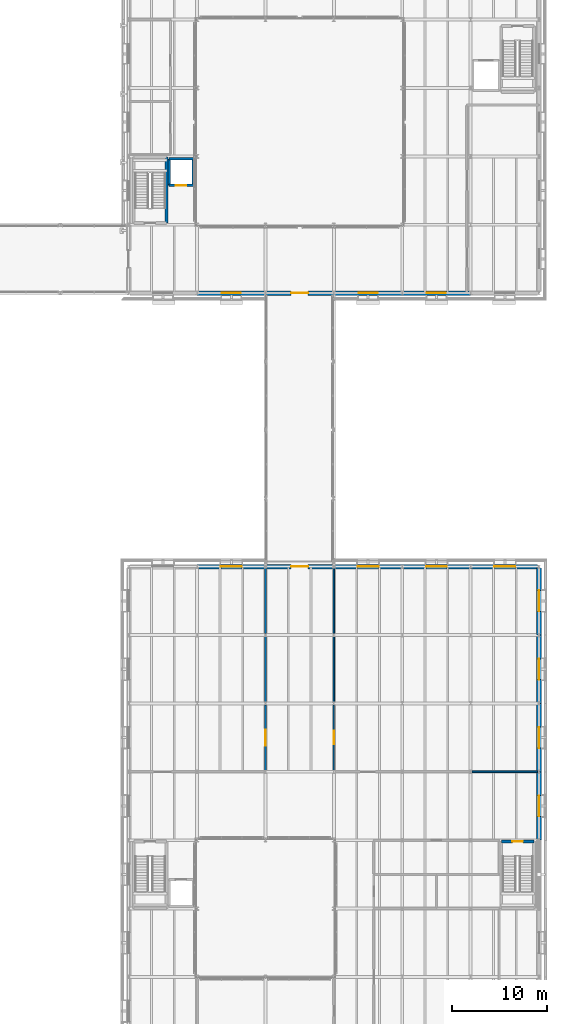
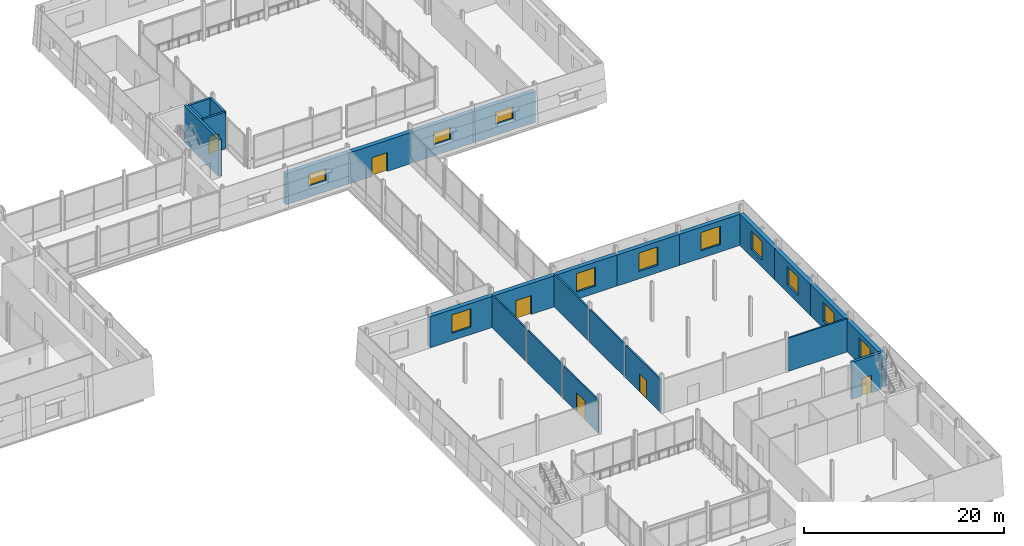
# One storey, part 86 of 121: 26 walls, 11 windows, 6 doors, 17 openings.
"""IFC4 building model written with IfcOpenShell, lengths in metres."""

from ifc_helpers import new_model, si_unit, direction, frame, frame_2d, origin, place, context, subcontext, project, spatial, rectangle, extrude, material, layer, layer_set, type_object, element, fill, save


model = new_model("IFC4")

# Units and contexts
model_context = context("Model", 3, precision=1e-05, world=origin(), true_north=direction((0.0, 1.0)))
body_context = subcontext(model_context, "Body", "Model", "MODEL_VIEW")
ifc_project = project(units=[si_unit("LENGTHUNIT", "METRE"), si_unit("AREAUNIT", "SQUARE_METRE"), si_unit("VOLUMEUNIT", "CUBIC_METRE"), si_unit("PLANEANGLEUNIT", "RADIAN"), si_unit("MASSUNIT", "GRAM", prefix="KILO")], contexts=[model_context])

# Site, building, storey
site_placement = place(None, origin())
site = spatial("IfcSite", under=ifc_project, at=site_placement, CompositionType="ELEMENT")
building_placement = place(site_placement, origin())
building = spatial("IfcBuilding", under=site, at=building_placement, Name="Narikvali Park Central Library", CompositionType="ELEMENT")
storey_placement = place(building_placement, frame((0.0, 0.0, 5.39990234375)))
storey = spatial("IfcBuildingStorey", under=building, at=storey_placement, Name="L01", CompositionType="ELEMENT", Elevation=5.39990234375)

# Wall, opening, door
ifc_material_1 = material(Name="Acoustic Laminated Glass and Steel Studs", Category="steel")
ifc_layer_1 = layer(ifc_material_1, 0.169921875, Name="Acoustic Laminated Glass and Steel Studs")
ifc_layer_set_1 = layer_set([ifc_layer_1], Name="Acoustic Laminated Glass and Steel Studs")
wall_type_1 = type_object("IfcWallType", Name="Maker Space Glazed Acoustic Partition 170", PredefinedType="PARTITIONING", material=ifc_layer_set_1)
wall_1_placement = place(storey_placement, frame((136.800048828125, 28.964111328125, 0.0), z_axis=(0.0, 0.0, 1.0), x_axis=(0.0, 1.0, 0.0)))
wall_1 = element("IfcWall", 1, at=wall_1_placement, inside=storey, type_object=wall_type_1, Name="Digital Fabrication and Robotics Maker Space Partition E", PredefinedType="PARTITIONING", context=body_context, shape_type="SweptSolid", body=[
    extrude(rectangle(XDim=6.871826171875, YDim=0.169921875, at=frame_2d((3.43603515625, 0.0))), origin(), (0.0, 0.0, 1.0), 4.005126953125),
])
opening_1_placement = place(wall_1_placement, frame((2.5859375, 0.0, 0.0)))
opening_1 = element("IfcOpeningElement", 2, at=opening_1_placement, cuts=wall_1, Name="Opening ID-0158", PredefinedType="OPENING", context=body_context, shape_type="SweptSolid", body=[
    extrude(rectangle(XDim=1.699951171875, YDim=2.300048828125, at=frame_2d((0.85009765625, 1.14990234375))), frame((0.0, 0.096923828125, 0.0), z_axis=(0.0, -1.0, 0.0), x_axis=(1.0, 0.0, 0.0)), (0.0, 0.0, 1.0), 0.19384765625),
])
ifc_material_2 = material(Name="Anodised Aluminium and Laminated Glass", Category="aluminium")
door_type_1 = type_object("IfcDoorType", Name="Maker Workshop Double Door 1700x2300", OperationType="DOUBLE_DOOR_SINGLE_SWING", PredefinedType="DOOR", material=ifc_material_2)
door_1_placement = place(opening_1_placement, origin())
door_1 = element("IfcDoor", 3, at=door_1_placement, inside=storey, type_object=door_type_1, Name="Digital Fabrication and Robotics Maker Space Door ID-0158", OperationType="DOUBLE_DOOR_SINGLE_SWING", OverallHeight=2.300048828125, OverallWidth=1.699951171875, PredefinedType="DOOR", context=body_context, shape_type="SweptSolid", body=[
    extrude(rectangle(XDim=1.699951171875, YDim=2.300048828125, at=frame_2d((0.85009765625, 1.14990234375))), frame((0.0, 0.02490234375, 0.0), z_axis=(0.0, -1.0, 0.0), x_axis=(1.0, 0.0, 0.0)), (0.0, 0.0, 1.0), 0.050048828125),
])
fill(opening_1, door_1)

# Walls
wall_2_placement = place(storey_placement, frame((136.800048828125, 36.1640625, 0.0), z_axis=(0.0, 0.0, 1.0), x_axis=(0.0, 1.0, 0.0)))
element("IfcWall", 4, at=wall_2_placement, inside=storey, type_object=wall_type_1, Name="Digital Fabrication and Robotics Maker Space Partition E", PredefinedType="PARTITIONING", context=body_context, shape_type="SweptSolid", body=[
    extrude(rectangle(XDim=6.871826171875, YDim=0.169921875, at=frame_2d((3.43603515625, 0.0))), origin(), (0.0, 0.0, 1.0), 4.005126953125),
])
wall_3_placement = place(storey_placement, frame((136.800048828125, 43.364013671875, 0.0), z_axis=(0.0, 0.0, 1.0), x_axis=(0.0, 1.0, 0.0)))
element("IfcWall", 5, at=wall_3_placement, inside=storey, type_object=wall_type_1, Name="Digital Fabrication and Robotics Maker Space Partition E", PredefinedType="PARTITIONING", context=body_context, shape_type="SweptSolid", body=[
    extrude(rectangle(XDim=6.8720703125, YDim=0.169921875, at=frame_2d((3.43603515625, 0.0))), origin(), (0.0, 0.0, 1.0), 4.005126953125),
])
ifc_material_3 = material(Name="Acoustic Gypsum on Steel Studs", Category="steel")
ifc_layer_2 = layer(ifc_material_3, 0.179931640625, Name="Acoustic Gypsum on Steel Studs")
ifc_layer_set_2 = layer_set([ifc_layer_2], Name="Acoustic Gypsum on Steel Studs")
wall_type_2 = type_object("IfcWallType", Name="Reading Room Acoustic Partition 180", PredefinedType="PARTITIONING", material=ifc_layer_set_2)
wall_4_placement = place(storey_placement, frame((158.553955078125, 28.800048828125, 0.0), z_axis=(0.0, 0.0, 1.0), x_axis=(1.0, 0.0, 0.0)))
element("IfcWall", 6, at=wall_4_placement, inside=storey, type_object=wall_type_2, Name="Community Language and Literacy Classroom Partition S", PredefinedType="PARTITIONING", context=body_context, shape_type="SweptSolid", body=[
    extrude(rectangle(XDim=6.89208984375, YDim=0.179931640625, at=frame_2d((3.446044921875, 0.0))), origin(), (0.0, 0.0, 1.0), 4.05517578125),
])

# Wall, opening, door
wall_5_placement = place(storey_placement, frame((144.0, 28.964111328125, 0.0), z_axis=(0.0, 0.0, 1.0), x_axis=(0.0, 1.0, 0.0)))
wall_5 = element("IfcWall", 7, at=wall_5_placement, inside=storey, type_object=wall_type_2, Name="Community Language and Literacy Classroom Partition W", PredefinedType="PARTITIONING", context=body_context, shape_type="SweptSolid", body=[
    extrude(rectangle(XDim=6.871826171875, YDim=0.179931640625, at=frame_2d((3.43603515625, 0.0))), origin(), (0.0, 0.0, 1.0), 4.005126953125),
])
opening_2_placement = place(wall_5_placement, frame((2.736083984375, 0.0, 0.0)))
opening_2 = element("IfcOpeningElement", 8, at=opening_2_placement, cuts=wall_5, Name="Opening ID-0155", PredefinedType="OPENING", context=body_context, shape_type="SweptSolid", body=[
    extrude(rectangle(XDim=1.39990234375, YDim=2.199951171875, at=frame_2d((0.699951171875, 1.10009765625))), frame((0.0, 0.10205078125, 0.0), z_axis=(0.0, -1.0, 0.0), x_axis=(1.0, 0.0, 0.0)), (0.0, 0.0, 1.0), 0.203857421875),
])
ifc_material_4 = material(Name="Caucasian Oak and Acoustic Glass", Category="glass")
door_type_2 = type_object("IfcDoorType", Name="Community Room Glazed Oak Door 1400x2200", OperationType="DOUBLE_DOOR_SINGLE_SWING", PredefinedType="DOOR", material=ifc_material_4)
door_2_placement = place(opening_2_placement, frame((1.39990234375, 0.0, 0.0), z_axis=(0.0, 0.0, 1.0), x_axis=(-1.0, 0.0, 0.0)))
door_2 = element("IfcDoor", 9, at=door_2_placement, inside=storey, type_object=door_type_2, Name="Community Language and Literacy Classroom Door ID-0155", OperationType="DOUBLE_DOOR_SINGLE_SWING", OverallHeight=2.199951171875, OverallWidth=1.39990234375, PredefinedType="DOOR", context=body_context, shape_type="SweptSolid", body=[
    extrude(rectangle(XDim=1.39990234375, YDim=2.199951171875, at=frame_2d((0.699951171875, 1.10009765625))), frame((0.0, 0.02490234375, 0.0), z_axis=(0.0, -1.0, 0.0), x_axis=(1.0, 0.0, 0.0)), (0.0, 0.0, 1.0), 0.050048828125),
])
fill(opening_2, door_2)

# Walls
wall_6_placement = place(storey_placement, frame((144.0, 36.1640625, 0.0), z_axis=(0.0, 0.0, 1.0), x_axis=(0.0, 1.0, 0.0)))
element("IfcWall", 10, at=wall_6_placement, inside=storey, type_object=wall_type_2, Name="Community Language and Literacy Classroom Partition W", PredefinedType="PARTITIONING", context=body_context, shape_type="SweptSolid", body=[
    extrude(rectangle(XDim=6.871826171875, YDim=0.179931640625, at=frame_2d((3.43603515625, 0.0))), origin(), (0.0, 0.0, 1.0), 4.005126953125),
])
wall_7_placement = place(storey_placement, frame((144.0, 43.364013671875, 0.0), z_axis=(0.0, 0.0, 1.0), x_axis=(0.0, 1.0, 0.0)))
element("IfcWall", 11, at=wall_7_placement, inside=storey, type_object=wall_type_2, Name="Community Language and Literacy Classroom Partition W", PredefinedType="PARTITIONING", context=body_context, shape_type="SweptSolid", body=[
    extrude(rectangle(XDim=6.8720703125, YDim=0.179931640625, at=frame_2d((3.43603515625, 0.0))), origin(), (0.0, 0.0, 1.0), 4.005126953125),
])

# Wall, opening, door
ifc_material_5 = material(Name="Concrete C40/50", Category="concrete")
ifc_layer_3 = layer(ifc_material_5, 0.25, Name="Concrete C40/50")
ifc_layer_set_3 = layer_set([ifc_layer_3], Name="Concrete C40/50")
wall_type_3 = type_object("IfcWallType", Name="Reinforced Concrete Lift Shaft Wall 250", PredefinedType="SHEAR", material=ifc_layer_set_3)
wall_8_placement = place(storey_placement, frame((126.64990234375, 90.550048828125, 0.0), z_axis=(0.0, 0.0, 1.0), x_axis=(1.0, 0.0, 0.0)))
wall_8 = element("IfcWall", 12, at=wall_8_placement, inside=storey, type_object=wall_type_3, Name="L-04 L01 Lift Shaft Wall S", PredefinedType="SHEAR", context=body_context, shape_type="SweptSolid", body=[
    extrude(rectangle(XDim=2.550048828125, YDim=0.25, at=frame_2d((1.27490234375, 0.0))), origin(), (0.0, 0.0, 1.0), 4.52001953125),
])
opening_3_placement = place(wall_8_placement, frame((0.72509765625, 0.0, 0.0)))
opening_3 = element("IfcOpeningElement", 13, at=opening_3_placement, cuts=wall_8, Name="Opening LD-016", PredefinedType="OPENING", context=body_context, shape_type="SweptSolid", body=[
    extrude(rectangle(XDim=1.10009765625, YDim=2.10009765625, at=frame_2d((0.550048828125, 1.050048828125))), frame((0.0, 0.136962890625, 0.0), z_axis=(0.0, -1.0, 0.0), x_axis=(1.0, 0.0, 0.0)), (0.0, 0.0, 1.0), 0.27392578125),
])
ifc_material_6 = material(Name="Brushed Stainless Steel S355", Category="steel")
door_type_3 = type_object("IfcDoorType", Name="Passenger Lift Sliding Landing Door 1100x2100", OperationType="SLIDING_TO_LEFT", PredefinedType="DOOR", material=ifc_material_6)
door_3_placement = place(opening_3_placement, origin())
door_3 = element("IfcDoor", 14, at=door_3_placement, inside=storey, type_object=door_type_3, Name="L-04 L01 Lift Landing Sliding Door LD-016", OperationType="SLIDING_TO_LEFT", OverallHeight=2.10009765625, OverallWidth=1.10009765625, PredefinedType="DOOR", context=body_context, shape_type="SweptSolid", body=[
    extrude(rectangle(XDim=1.10009765625, YDim=2.10009765625, at=frame_2d((0.550048828125, 1.050048828125))), frame((0.0, 0.02490234375, 0.0), z_axis=(0.0, -1.0, 0.0), x_axis=(1.0, 0.0, 0.0)), (0.0, 0.0, 1.0), 0.050048828125),
])
fill(opening_3, door_3)

# Walls
wall_9_placement = place(storey_placement, frame((129.199951171875, 90.550048828125, 0.0), z_axis=(0.0, 0.0, 1.0), x_axis=(0.0, 1.0, 0.0)))
element("IfcWall", 15, at=wall_9_placement, inside=storey, type_object=wall_type_3, Name="L-04 L01 Lift Shaft Wall E", PredefinedType="SHEAR", context=body_context, shape_type="SweptSolid", body=[
    extrude(rectangle(XDim=2.800048828125, YDim=0.25, at=frame_2d((1.39990234375, 0.0))), origin(), (0.0, 0.0, 1.0), 4.52001953125),
])
wall_10_placement = place(storey_placement, frame((129.199951171875, 93.35009765625, 0.0), z_axis=(0.0, 0.0, 1.0), x_axis=(-1.0, 0.0, 0.0)))
element("IfcWall", 16, at=wall_10_placement, inside=storey, type_object=wall_type_3, Name="L-04 L01 Lift Shaft Wall N", PredefinedType="SHEAR", context=body_context, shape_type="SweptSolid", body=[
    extrude(rectangle(XDim=2.550048828125, YDim=0.25, at=frame_2d((1.27490234375, 0.0))), origin(), (0.0, 0.0, 1.0), 4.52001953125),
])
wall_11_placement = place(storey_placement, frame((126.64990234375, 93.35009765625, 0.0), z_axis=(0.0, 0.0, 1.0), x_axis=(0.0, -1.0, 0.0)))
element("IfcWall", 17, at=wall_11_placement, inside=storey, type_object=wall_type_3, Name="L-04 L01 Lift Shaft Wall W", PredefinedType="SHEAR", context=body_context, shape_type="SweptSolid", body=[
    extrude(rectangle(XDim=2.800048828125, YDim=0.25, at=frame_2d((1.39990234375, 0.0))), origin(), (0.0, 0.0, 1.0), 4.52001953125),
])
ifc_layer_4 = layer(ifc_material_5, 0.300048828125, Name="Concrete C40/50")
ifc_layer_set_4 = layer_set([ifc_layer_4], Name="Concrete C40/50")
wall_type_4 = type_object("IfcWallType", Name="Reinforced Concrete Shear Wall 300", PredefinedType="SHEAR", material=ifc_layer_set_4)
wall_12_placement = place(storey_placement, frame((126.3701171875, 86.580078125, 0.0), z_axis=(0.0, 0.0, 1.0), x_axis=(0.0, 1.0, 0.0)))
element("IfcWall", 18, at=wall_12_placement, inside=storey, type_object=wall_type_4, Name="C3A L01 Stair Core Shear Wall E", PredefinedType="SHEAR", context=body_context, shape_type="SweptSolid", body=[
    extrude(rectangle(XDim=6.93994140625, YDim=0.300048828125, at=frame_2d((3.469970703125, 0.0))), origin(), (0.0, 0.0, 1.0), 4.52001953125),
])

# Wall, opening, door
wall_13_placement = place(storey_placement, frame((165.070068359375, 21.469970703125, 0.0), z_axis=(0.0, 0.0, 1.0), x_axis=(-1.0, 0.0, 0.0)))
wall_13 = element("IfcWall", 19, at=wall_13_placement, inside=storey, type_object=wall_type_4, Name="C6B L01 Stair Core Shear Wall N", PredefinedType="SHEAR", context=body_context, shape_type="SweptSolid", body=[
    extrude(rectangle(XDim=3.440185546875, YDim=0.300048828125, at=frame_2d((1.72021484375, 0.0))), origin(), (0.0, 0.0, 1.0), 4.52001953125),
])
opening_4_placement = place(wall_13_placement, frame((1.169921875, 0.0, 0.0)))
opening_4 = element("IfcOpeningElement", 20, at=opening_4_placement, cuts=wall_13, Name="Opening SD-064", PredefinedType="OPENING", context=body_context, shape_type="SweptSolid", body=[
    extrude(rectangle(XDim=1.10009765625, YDim=2.14990234375, at=frame_2d((0.550048828125, 1.074951171875))), frame((0.0, 0.162109375, 0.0), z_axis=(0.0, -1.0, 0.0), x_axis=(1.0, 0.0, 0.0)), (0.0, 0.0, 1.0), 0.323974609375),
])
ifc_material_7 = material(Name="Powder-Coated Steel S275 Fire Leaf", Category="steel")
door_type_4 = type_object("IfcDoorType", Name="Stair Core Smoke-Control Fire Door 1100x2150", OperationType="SINGLE_SWING_LEFT", PredefinedType="DOOR", material=ifc_material_7)
door_4_placement = place(opening_4_placement, frame((1.10009765625, 0.0, 0.0), z_axis=(0.0, 0.0, 1.0), x_axis=(-1.0, 0.0, 0.0)))
door_4 = element("IfcDoor", 21, at=door_4_placement, inside=storey, type_object=door_type_4, Name="ST-12 L01 Stair Exit Door SD-064", OperationType="SINGLE_SWING_RIGHT", OverallHeight=2.14990234375, OverallWidth=1.10009765625, PredefinedType="DOOR", context=body_context, shape_type="SweptSolid", body=[
    extrude(rectangle(XDim=1.10009765625, YDim=2.14990234375, at=frame_2d((0.550048828125, 1.074951171875))), frame((0.0, 0.02490234375, 0.0), z_axis=(0.0, -1.0, 0.0), x_axis=(1.0, 0.0, 0.0)), (0.0, 0.0, 1.0), 0.050048828125),
])
fill(opening_4, door_4)

# Wall, opening, window
ifc_material_8 = material(Name="White Honed Limestone over Concrete C35/45", Category="masonry")
ifc_layer_5 = layer(ifc_material_8, 0.47998046875, Name="White Honed Limestone over Concrete C35/45")
ifc_layer_set_5 = layer_set([ifc_layer_5], Name="White Honed Limestone over Concrete C35/45")
wall_type_5 = type_object("IfcWallType", Name="White Limestone Battered Tier1 Wall 480", PredefinedType="SOLIDWALL", material=ifc_layer_set_5)
wall_14_placement = place(storey_placement, frame((129.60009765625, 79.199951171875, 0.0), z_axis=(0.0, 0.0, 1.0), x_axis=(1.0, 0.0, 0.0)))
wall_14 = element("IfcWall", 22, at=wall_14_placement, inside=storey, type_object=wall_type_5, Name="V3 L01 S Exterior Limestone Wall B02", PredefinedType="SOLIDWALL", context=body_context, shape_type="SweptSolid", body=[
    extrude(rectangle(XDim=7.199951171875, YDim=0.47998046875, at=frame_2d((3.60009765625, 0.0))), origin(), (0.0, 0.0, 1.0), 3.800048828125),
])
opening_5_placement = place(wall_14_placement, frame((2.60009765625, 0.0, 1.35009765625)))
opening_5 = element("IfcOpeningElement", 23, at=opening_5_placement, cuts=wall_14, Name="Opening WIN-0089", PredefinedType="OPENING", context=body_context, shape_type="SweptSolid", body=[
    extrude(rectangle(XDim=2.0, YDim=1.5, at=frame_2d((1.0, 0.75))), frame((0.0, 0.251953125, 0.0), z_axis=(0.0, -1.0, 0.0), x_axis=(1.0, 0.0, 0.0)), (0.0, 0.0, 1.0), 0.50390625),
])
ifc_material_9 = material(Name="Anodised Bronze Aluminium and Low-E Triple Glazing", Category="aluminium")
window_type_1 = type_object("IfcWindowType", Name="Auditorium Acoustic Clerestory Window 2000x1500", PartitioningType="DOUBLE_PANEL_HORIZONTAL", PredefinedType="WINDOW", material=ifc_material_9)
window_1_placement = place(opening_5_placement, origin())
window_1 = element("IfcWindow", 24, at=window_1_placement, inside=storey, type_object=window_type_1, Name="V3 L01 S Deep-Reveal Window WIN-0089", OverallHeight=1.5, OverallWidth=2.0, PartitioningType="SINGLE_PANEL", PredefinedType="WINDOW", context=body_context, shape_type="SweptSolid", body=[
    extrude(rectangle(XDim=2.0, YDim=1.5, at=frame_2d((1.0, 0.75))), frame((0.0, 0.030029296875, 0.0), z_axis=(0.0, -1.0, 0.0), x_axis=(1.0, 0.0, 0.0)), (0.0, 0.0, 1.0), 0.06005859375),
])
fill(opening_5, window_1)

# Wall, opening, door
wall_15_placement = place(storey_placement, frame((136.800048828125, 79.199951171875, 0.0), z_axis=(0.0, 0.0, 1.0), x_axis=(1.0, 0.0, 0.0)))
wall_15 = element("IfcWall", 25, at=wall_15_placement, inside=storey, type_object=wall_type_5, Name="V3 L01 S Exterior Limestone Wall B03", PredefinedType="SOLIDWALL", context=body_context, shape_type="SweptSolid", body=[
    extrude(rectangle(XDim=7.199951171875, YDim=0.47998046875, at=frame_2d((3.60009765625, 0.0))), origin(), (0.0, 0.0, 1.0), 3.800048828125),
])
opening_6_placement = place(wall_15_placement, frame((2.699951171875, 0.0, 0.0)))
opening_6 = element("IfcOpeningElement", 26, at=opening_6_placement, cuts=wall_15, Name="Opening BD-025", PredefinedType="OPENING", context=body_context, shape_type="SweptSolid", body=[
    extrude(rectangle(XDim=1.800048828125, YDim=2.300048828125, at=frame_2d((0.89990234375, 1.14990234375))), frame((0.0, 0.251953125, 0.0), z_axis=(0.0, -1.0, 0.0), x_axis=(1.0, 0.0, 0.0)), (0.0, 0.0, 1.0), 0.50390625),
])
ifc_material_10 = material(Name="Fire-Rated Glazing in Steel S275 Frame", Category="steel")
door_type_5 = type_object("IfcDoorType", Name="Glazed Double Corridor Bridge Fire Door 1800x2300", OperationType="DOUBLE_DOOR_SINGLE_SWING", PredefinedType="DOOR", material=ifc_material_10)
door_5_placement = place(opening_6_placement, origin())
door_5 = element("IfcDoor", 27, at=door_5_placement, inside=storey, type_object=door_type_5, Name="V3 L01 Covered Bridge Fire Door BD-025", OperationType="DOUBLE_DOOR_SINGLE_SWING", OverallHeight=2.300048828125, OverallWidth=1.800048828125, PredefinedType="DOOR", context=body_context, shape_type="SweptSolid", body=[
    extrude(rectangle(XDim=1.800048828125, YDim=2.300048828125, at=frame_2d((0.89990234375, 1.14990234375))), frame((0.0, 0.02490234375, 0.0), z_axis=(0.0, -1.0, 0.0), x_axis=(1.0, 0.0, 0.0)), (0.0, 0.0, 1.0), 0.050048828125),
])
fill(opening_6, door_5)

# Wall, opening, window
wall_16_placement = place(storey_placement, frame((144.0, 79.199951171875, 0.0), z_axis=(0.0, 0.0, 1.0), x_axis=(1.0, 0.0, 0.0)))
wall_16 = element("IfcWall", 28, at=wall_16_placement, inside=storey, type_object=wall_type_5, Name="V3 L01 S Exterior Limestone Wall B04", PredefinedType="SOLIDWALL", context=body_context, shape_type="SweptSolid", body=[
    extrude(rectangle(XDim=7.199951171875, YDim=0.47998046875, at=frame_2d((3.60009765625, 0.0))), origin(), (0.0, 0.0, 1.0), 3.800048828125),
])
opening_7_placement = place(wall_16_placement, frame((2.60009765625, 0.0, 1.35009765625)))
opening_7 = element("IfcOpeningElement", 29, at=opening_7_placement, cuts=wall_16, Name="Opening WIN-0090", PredefinedType="OPENING", context=body_context, shape_type="SweptSolid", body=[
    extrude(rectangle(XDim=2.0, YDim=1.5, at=frame_2d((1.0, 0.75))), frame((0.0, 0.251953125, 0.0), z_axis=(0.0, -1.0, 0.0), x_axis=(1.0, 0.0, 0.0)), (0.0, 0.0, 1.0), 0.50390625),
])
window_2_placement = place(opening_7_placement, origin())
window_2 = element("IfcWindow", 30, at=window_2_placement, inside=storey, type_object=window_type_1, Name="V3 L01 S Deep-Reveal Window WIN-0090", OverallHeight=1.5, OverallWidth=2.0, PartitioningType="SINGLE_PANEL", PredefinedType="WINDOW", context=body_context, shape_type="SweptSolid", body=[
    extrude(rectangle(XDim=2.0, YDim=1.5, at=frame_2d((1.0, 0.75))), frame((0.0, 0.030029296875, 0.0), z_axis=(0.0, -1.0, 0.0), x_axis=(1.0, 0.0, 0.0)), (0.0, 0.0, 1.0), 0.06005859375),
])
fill(opening_7, window_2)

wall_17_placement = place(storey_placement, frame((151.199951171875, 79.199951171875, 0.0), z_axis=(0.0, 0.0, 1.0), x_axis=(1.0, 0.0, 0.0)))
wall_17 = element("IfcWall", 31, at=wall_17_placement, inside=storey, type_object=wall_type_5, Name="V3 L01 S Exterior Limestone Wall B05", PredefinedType="SOLIDWALL", context=body_context, shape_type="SweptSolid", body=[
    extrude(rectangle(XDim=7.199951171875, YDim=0.47998046875, at=frame_2d((3.60009765625, 0.0))), origin(), (0.0, 0.0, 1.0), 3.800048828125),
])
opening_8_placement = place(wall_17_placement, frame((2.60009765625, 0.0, 1.35009765625)))
opening_8 = element("IfcOpeningElement", 32, at=opening_8_placement, cuts=wall_17, Name="Opening WIN-0091", PredefinedType="OPENING", context=body_context, shape_type="SweptSolid", body=[
    extrude(rectangle(XDim=2.0, YDim=1.5, at=frame_2d((1.0, 0.75))), frame((0.0, 0.251953125, 0.0), z_axis=(0.0, -1.0, 0.0), x_axis=(1.0, 0.0, 0.0)), (0.0, 0.0, 1.0), 0.50390625),
])
window_3_placement = place(opening_8_placement, origin())
window_3 = element("IfcWindow", 33, at=window_3_placement, inside=storey, type_object=window_type_1, Name="V3 L01 S Deep-Reveal Window WIN-0091", OverallHeight=1.5, OverallWidth=2.0, PartitioningType="SINGLE_PANEL", PredefinedType="WINDOW", context=body_context, shape_type="SweptSolid", body=[
    extrude(rectangle(XDim=2.0, YDim=1.5, at=frame_2d((1.0, 0.75))), frame((0.0, 0.030029296875, 0.0), z_axis=(0.0, -1.0, 0.0), x_axis=(1.0, 0.0, 0.0)), (0.0, 0.0, 1.0), 0.06005859375),
])
fill(opening_8, window_3)

wall_18_placement = place(storey_placement, frame((165.60009765625, 21.60009765625, 0.0), z_axis=(0.0, 0.0, 1.0), x_axis=(0.0, 1.0, 0.0)))
wall_18 = element("IfcWall", 34, at=wall_18_placement, inside=storey, type_object=wall_type_5, Name="V6 L01 E Exterior Limestone Wall B04", PredefinedType="SOLIDWALL", context=body_context, shape_type="SweptSolid", body=[
    extrude(rectangle(XDim=7.199951171875, YDim=0.47998046875, at=frame_2d((3.60009765625, 0.0))), origin(), (0.0, 0.0, 1.0), 3.800048828125),
])
opening_9_placement = place(wall_18_placement, frame((2.5, 0.0, 0.89990234375)))
opening_9 = element("IfcOpeningElement", 35, at=opening_9_placement, cuts=wall_18, Name="Opening WIN-0368", PredefinedType="OPENING", context=body_context, shape_type="SweptSolid", body=[
    extrude(rectangle(XDim=2.199951171875, YDim=2.25, at=frame_2d((1.10009765625, 1.125))), frame((0.0, 0.251953125, 0.0), z_axis=(0.0, -1.0, 0.0), x_axis=(1.0, 0.0, 0.0)), (0.0, 0.0, 1.0), 0.50390625),
])
window_type_2 = type_object("IfcWindowType", Name="Community & Fine Arts Studio Window 2200x2250", PartitioningType="TRIPLE_PANEL_VERTICAL", PredefinedType="WINDOW", material=ifc_material_9)
window_4_placement = place(opening_9_placement, origin())
window_4 = element("IfcWindow", 36, at=window_4_placement, inside=storey, type_object=window_type_2, Name="V6 L01 E Deep-Reveal Window WIN-0368", OverallHeight=2.25, OverallWidth=2.199951171875, PartitioningType="SINGLE_PANEL", PredefinedType="WINDOW", context=body_context, shape_type="SweptSolid", body=[
    extrude(rectangle(XDim=2.199951171875, YDim=2.25, at=frame_2d((1.10009765625, 1.125))), frame((0.0, 0.030029296875, 0.0), z_axis=(0.0, -1.0, 0.0), x_axis=(1.0, 0.0, 0.0)), (0.0, 0.0, 1.0), 0.06005859375),
])
fill(opening_9, window_4)

wall_19_placement = place(storey_placement, frame((165.60009765625, 28.800048828125, 0.0), z_axis=(0.0, 0.0, 1.0), x_axis=(0.0, 1.0, 0.0)))
wall_19 = element("IfcWall", 37, at=wall_19_placement, inside=storey, type_object=wall_type_5, Name="V6 L01 E Exterior Limestone Wall B05", PredefinedType="SOLIDWALL", context=body_context, shape_type="SweptSolid", body=[
    extrude(rectangle(XDim=7.199951171875, YDim=0.47998046875, at=frame_2d((3.60009765625, 0.0))), origin(), (0.0, 0.0, 1.0), 3.800048828125),
])
opening_10_placement = place(wall_19_placement, frame((2.5, 0.0, 0.89990234375)))
opening_10 = element("IfcOpeningElement", 38, at=opening_10_placement, cuts=wall_19, Name="Opening WIN-0369", PredefinedType="OPENING", context=body_context, shape_type="SweptSolid", body=[
    extrude(rectangle(XDim=2.199951171875, YDim=2.25, at=frame_2d((1.10009765625, 1.125))), frame((0.0, 0.251953125, 0.0), z_axis=(0.0, -1.0, 0.0), x_axis=(1.0, 0.0, 0.0)), (0.0, 0.0, 1.0), 0.50390625),
])
window_5_placement = place(opening_10_placement, origin())
window_5 = element("IfcWindow", 39, at=window_5_placement, inside=storey, type_object=window_type_2, Name="V6 L01 E Deep-Reveal Window WIN-0369", OverallHeight=2.25, OverallWidth=2.199951171875, PartitioningType="SINGLE_PANEL", PredefinedType="WINDOW", context=body_context, shape_type="SweptSolid", body=[
    extrude(rectangle(XDim=2.199951171875, YDim=2.25, at=frame_2d((1.10009765625, 1.125))), frame((0.0, 0.030029296875, 0.0), z_axis=(0.0, -1.0, 0.0), x_axis=(1.0, 0.0, 0.0)), (0.0, 0.0, 1.0), 0.06005859375),
])
fill(opening_10, window_5)

wall_20_placement = place(storey_placement, frame((165.60009765625, 36.0, 0.0), z_axis=(0.0, 0.0, 1.0), x_axis=(0.0, 1.0, 0.0)))
wall_20 = element("IfcWall", 40, at=wall_20_placement, inside=storey, type_object=wall_type_5, Name="V6 L01 E Exterior Limestone Wall B06", PredefinedType="SOLIDWALL", context=body_context, shape_type="SweptSolid", body=[
    extrude(rectangle(XDim=7.199951171875, YDim=0.47998046875, at=frame_2d((3.60009765625, 0.0))), origin(), (0.0, 0.0, 1.0), 3.800048828125),
])
opening_11_placement = place(wall_20_placement, frame((2.5, 0.0, 0.89990234375)))
opening_11 = element("IfcOpeningElement", 41, at=opening_11_placement, cuts=wall_20, Name="Opening WIN-0370", PredefinedType="OPENING", context=body_context, shape_type="SweptSolid", body=[
    extrude(rectangle(XDim=2.199951171875, YDim=2.25, at=frame_2d((1.10009765625, 1.125))), frame((0.0, 0.251953125, 0.0), z_axis=(0.0, -1.0, 0.0), x_axis=(1.0, 0.0, 0.0)), (0.0, 0.0, 1.0), 0.50390625),
])
window_6_placement = place(opening_11_placement, origin())
window_6 = element("IfcWindow", 42, at=window_6_placement, inside=storey, type_object=window_type_2, Name="V6 L01 E Deep-Reveal Window WIN-0370", OverallHeight=2.25, OverallWidth=2.199951171875, PartitioningType="SINGLE_PANEL", PredefinedType="WINDOW", context=body_context, shape_type="SweptSolid", body=[
    extrude(rectangle(XDim=2.199951171875, YDim=2.25, at=frame_2d((1.10009765625, 1.125))), frame((0.0, 0.030029296875, 0.0), z_axis=(0.0, -1.0, 0.0), x_axis=(1.0, 0.0, 0.0)), (0.0, 0.0, 1.0), 0.06005859375),
])
fill(opening_11, window_6)

wall_21_placement = place(storey_placement, frame((165.60009765625, 43.199951171875, 0.0), z_axis=(0.0, 0.0, 1.0), x_axis=(0.0, 1.0, 0.0)))
wall_21 = element("IfcWall", 43, at=wall_21_placement, inside=storey, type_object=wall_type_5, Name="V6 L01 E Exterior Limestone Wall B07", PredefinedType="SOLIDWALL", context=body_context, shape_type="SweptSolid", body=[
    extrude(rectangle(XDim=7.0361328125, YDim=0.47998046875, at=frame_2d((3.51806640625, 0.0))), origin(), (0.0, 0.0, 1.0), 3.800048828125),
])
opening_12_placement = place(wall_21_placement, frame((2.5, 0.0, 0.89990234375)))
opening_12 = element("IfcOpeningElement", 44, at=opening_12_placement, cuts=wall_21, Name="Opening WIN-0371", PredefinedType="OPENING", context=body_context, shape_type="SweptSolid", body=[
    extrude(rectangle(XDim=2.199951171875, YDim=2.25, at=frame_2d((1.10009765625, 1.125))), frame((0.0, 0.251953125, 0.0), z_axis=(0.0, -1.0, 0.0), x_axis=(1.0, 0.0, 0.0)), (0.0, 0.0, 1.0), 0.50390625),
])
window_7_placement = place(opening_12_placement, origin())
window_7 = element("IfcWindow", 45, at=window_7_placement, inside=storey, type_object=window_type_2, Name="V6 L01 E Deep-Reveal Window WIN-0371", OverallHeight=2.25, OverallWidth=2.199951171875, PartitioningType="SINGLE_PANEL", PredefinedType="WINDOW", context=body_context, shape_type="SweptSolid", body=[
    extrude(rectangle(XDim=2.199951171875, YDim=2.25, at=frame_2d((1.10009765625, 1.125))), frame((0.0, 0.030029296875, 0.0), z_axis=(0.0, -1.0, 0.0), x_axis=(1.0, 0.0, 0.0)), (0.0, 0.0, 1.0), 0.06005859375),
])
fill(opening_12, window_7)

wall_22_placement = place(storey_placement, frame((165.446044921875, 50.39990234375, 0.0), z_axis=(0.0, 0.0, 1.0), x_axis=(-1.0, 0.0, 0.0)))
wall_22 = element("IfcWall", 46, at=wall_22_placement, inside=storey, type_object=wall_type_5, Name="V6 L01 N Exterior Limestone Wall B01", PredefinedType="SOLIDWALL", context=body_context, shape_type="SweptSolid", body=[
    extrude(rectangle(XDim=7.046142578125, YDim=0.47998046875, at=frame_2d((3.52294921875, 0.0))), origin(), (0.0, 0.0, 1.0), 3.800048828125),
])
opening_13_placement = place(wall_22_placement, frame((2.345947265625, 0.0, 0.89990234375)))
opening_13 = element("IfcOpeningElement", 47, at=opening_13_placement, cuts=wall_22, Name="Opening WIN-0372", PredefinedType="OPENING", context=body_context, shape_type="SweptSolid", body=[
    extrude(rectangle(XDim=2.199951171875, YDim=2.25, at=frame_2d((1.10009765625, 1.125))), frame((0.0, 0.251953125, 0.0), z_axis=(0.0, -1.0, 0.0), x_axis=(1.0, 0.0, 0.0)), (0.0, 0.0, 1.0), 0.50390625),
])
window_8_placement = place(opening_13_placement, origin())
window_8 = element("IfcWindow", 48, at=window_8_placement, inside=storey, type_object=window_type_2, Name="V6 L01 N Deep-Reveal Window WIN-0372", OverallHeight=2.25, OverallWidth=2.199951171875, PartitioningType="SINGLE_PANEL", PredefinedType="WINDOW", context=body_context, shape_type="SweptSolid", body=[
    extrude(rectangle(XDim=2.199951171875, YDim=2.25, at=frame_2d((1.10009765625, 1.125))), frame((0.0, 0.030029296875, 0.0), z_axis=(0.0, -1.0, 0.0), x_axis=(1.0, 0.0, 0.0)), (0.0, 0.0, 1.0), 0.06005859375),
])
fill(opening_13, window_8)

wall_23_placement = place(storey_placement, frame((158.39990234375, 50.39990234375, 0.0), z_axis=(0.0, 0.0, 1.0), x_axis=(-1.0, 0.0, 0.0)))
wall_23 = element("IfcWall", 49, at=wall_23_placement, inside=storey, type_object=wall_type_5, Name="V6 L01 N Exterior Limestone Wall B02", PredefinedType="SOLIDWALL", context=body_context, shape_type="SweptSolid", body=[
    extrude(rectangle(XDim=7.199951171875, YDim=0.47998046875, at=frame_2d((3.60009765625, 0.0))), origin(), (0.0, 0.0, 1.0), 3.800048828125),
])
opening_14_placement = place(wall_23_placement, frame((2.5, 0.0, 0.89990234375)))
opening_14 = element("IfcOpeningElement", 50, at=opening_14_placement, cuts=wall_23, Name="Opening WIN-0373", PredefinedType="OPENING", context=body_context, shape_type="SweptSolid", body=[
    extrude(rectangle(XDim=2.199951171875, YDim=2.25, at=frame_2d((1.10009765625, 1.125))), frame((0.0, 0.251953125, 0.0), z_axis=(0.0, -1.0, 0.0), x_axis=(1.0, 0.0, 0.0)), (0.0, 0.0, 1.0), 0.50390625),
])
window_9_placement = place(opening_14_placement, origin())
window_9 = element("IfcWindow", 51, at=window_9_placement, inside=storey, type_object=window_type_2, Name="V6 L01 N Deep-Reveal Window WIN-0373", OverallHeight=2.25, OverallWidth=2.199951171875, PartitioningType="SINGLE_PANEL", PredefinedType="WINDOW", context=body_context, shape_type="SweptSolid", body=[
    extrude(rectangle(XDim=2.199951171875, YDim=2.25, at=frame_2d((1.10009765625, 1.125))), frame((0.0, 0.030029296875, 0.0), z_axis=(0.0, -1.0, 0.0), x_axis=(1.0, 0.0, 0.0)), (0.0, 0.0, 1.0), 0.06005859375),
])
fill(opening_14, window_9)

wall_24_placement = place(storey_placement, frame((151.199951171875, 50.39990234375, 0.0), z_axis=(0.0, 0.0, 1.0), x_axis=(-1.0, 0.0, 0.0)))
wall_24 = element("IfcWall", 52, at=wall_24_placement, inside=storey, type_object=wall_type_5, Name="V6 L01 N Exterior Limestone Wall B03", PredefinedType="SOLIDWALL", context=body_context, shape_type="SweptSolid", body=[
    extrude(rectangle(XDim=7.199951171875, YDim=0.47998046875, at=frame_2d((3.60009765625, 0.0))), origin(), (0.0, 0.0, 1.0), 3.800048828125),
])
opening_15_placement = place(wall_24_placement, frame((2.5, 0.0, 0.89990234375)))
opening_15 = element("IfcOpeningElement", 53, at=opening_15_placement, cuts=wall_24, Name="Opening WIN-0374", PredefinedType="OPENING", context=body_context, shape_type="SweptSolid", body=[
    extrude(rectangle(XDim=2.199951171875, YDim=2.25, at=frame_2d((1.10009765625, 1.125))), frame((0.0, 0.251953125, 0.0), z_axis=(0.0, -1.0, 0.0), x_axis=(1.0, 0.0, 0.0)), (0.0, 0.0, 1.0), 0.50390625),
])
window_10_placement = place(opening_15_placement, origin())
window_10 = element("IfcWindow", 54, at=window_10_placement, inside=storey, type_object=window_type_2, Name="V6 L01 N Deep-Reveal Window WIN-0374", OverallHeight=2.25, OverallWidth=2.199951171875, PartitioningType="SINGLE_PANEL", PredefinedType="WINDOW", context=body_context, shape_type="SweptSolid", body=[
    extrude(rectangle(XDim=2.199951171875, YDim=2.25, at=frame_2d((1.10009765625, 1.125))), frame((0.0, 0.030029296875, 0.0), z_axis=(0.0, -1.0, 0.0), x_axis=(1.0, 0.0, 0.0)), (0.0, 0.0, 1.0), 0.06005859375),
])
fill(opening_15, window_10)

# Wall, opening, door
wall_25_placement = place(storey_placement, frame((144.0, 50.39990234375, 0.0), z_axis=(0.0, 0.0, 1.0), x_axis=(-1.0, 0.0, 0.0)))
wall_25 = element("IfcWall", 55, at=wall_25_placement, inside=storey, type_object=wall_type_5, Name="V6 L01 N Exterior Limestone Wall B04", PredefinedType="SOLIDWALL", context=body_context, shape_type="SweptSolid", body=[
    extrude(rectangle(XDim=7.199951171875, YDim=0.47998046875, at=frame_2d((3.60009765625, 0.0))), origin(), (0.0, 0.0, 1.0), 3.800048828125),
])
opening_16_placement = place(wall_25_placement, frame((2.699951171875, 0.0, 0.0)))
opening_16 = element("IfcOpeningElement", 56, at=opening_16_placement, cuts=wall_25, Name="Opening BD-052", PredefinedType="OPENING", context=body_context, shape_type="SweptSolid", body=[
    extrude(rectangle(XDim=1.800048828125, YDim=2.300048828125, at=frame_2d((0.89990234375, 1.14990234375))), frame((0.0, 0.251953125, 0.0), z_axis=(0.0, -1.0, 0.0), x_axis=(1.0, 0.0, 0.0)), (0.0, 0.0, 1.0), 0.50390625),
])
door_6_placement = place(opening_16_placement, origin())
door_6 = element("IfcDoor", 57, at=door_6_placement, inside=storey, type_object=door_type_5, Name="V6 L01 Covered Bridge Fire Door BD-052", OperationType="DOUBLE_DOOR_SINGLE_SWING", OverallHeight=2.300048828125, OverallWidth=1.800048828125, PredefinedType="DOOR", context=body_context, shape_type="SweptSolid", body=[
    extrude(rectangle(XDim=1.800048828125, YDim=2.300048828125, at=frame_2d((0.89990234375, 1.14990234375))), frame((0.0, 0.02490234375, 0.0), z_axis=(0.0, -1.0, 0.0), x_axis=(1.0, 0.0, 0.0)), (0.0, 0.0, 1.0), 0.050048828125),
])
fill(opening_16, door_6)

# Wall, opening, window
wall_26_placement = place(storey_placement, frame((136.800048828125, 50.39990234375, 0.0), z_axis=(0.0, 0.0, 1.0), x_axis=(-1.0, 0.0, 0.0)))
wall_26 = element("IfcWall", 58, at=wall_26_placement, inside=storey, type_object=wall_type_5, Name="V6 L01 N Exterior Limestone Wall B05", PredefinedType="SOLIDWALL", context=body_context, shape_type="SweptSolid", body=[
    extrude(rectangle(XDim=7.199951171875, YDim=0.47998046875, at=frame_2d((3.60009765625, 0.0))), origin(), (0.0, 0.0, 1.0), 3.800048828125),
])
opening_17_placement = place(wall_26_placement, frame((2.5, 0.0, 0.89990234375)))
opening_17 = element("IfcOpeningElement", 59, at=opening_17_placement, cuts=wall_26, Name="Opening WIN-0375", PredefinedType="OPENING", context=body_context, shape_type="SweptSolid", body=[
    extrude(rectangle(XDim=2.199951171875, YDim=2.25, at=frame_2d((1.10009765625, 1.125))), frame((0.0, 0.251953125, 0.0), z_axis=(0.0, -1.0, 0.0), x_axis=(1.0, 0.0, 0.0)), (0.0, 0.0, 1.0), 0.50390625),
])
window_11_placement = place(opening_17_placement, origin())
window_11 = element("IfcWindow", 60, at=window_11_placement, inside=storey, type_object=window_type_2, Name="V6 L01 N Deep-Reveal Window WIN-0375", OverallHeight=2.25, OverallWidth=2.199951171875, PartitioningType="SINGLE_PANEL", PredefinedType="WINDOW", context=body_context, shape_type="SweptSolid", body=[
    extrude(rectangle(XDim=2.199951171875, YDim=2.25, at=frame_2d((1.10009765625, 1.125))), frame((0.0, 0.030029296875, 0.0), z_axis=(0.0, -1.0, 0.0), x_axis=(1.0, 0.0, 0.0)), (0.0, 0.0, 1.0), 0.06005859375),
])
fill(opening_17, window_11)

save(model, "model.ifc")
